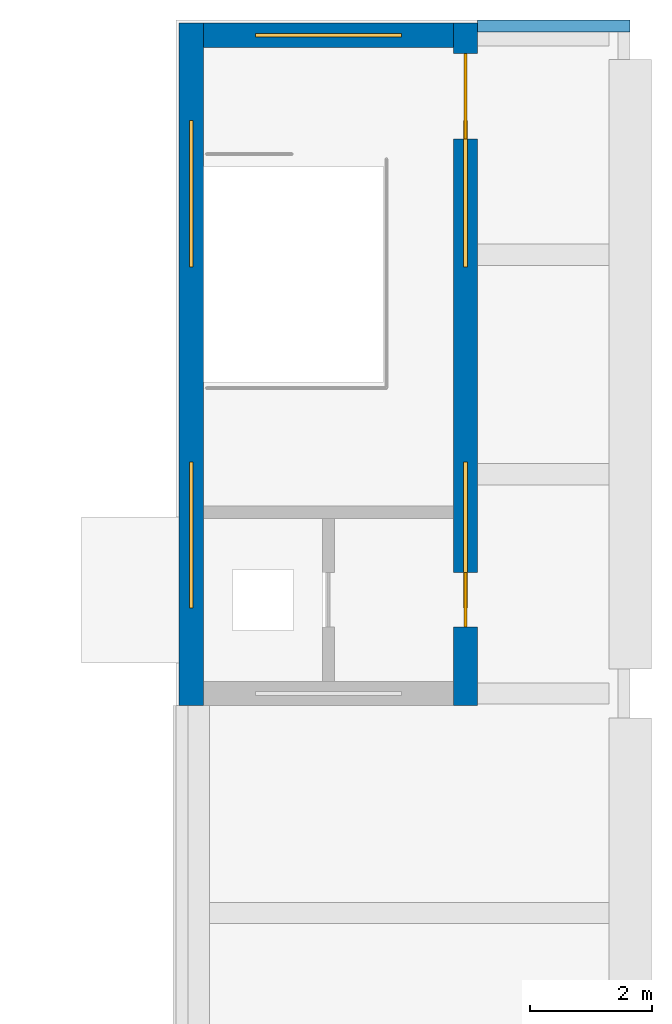
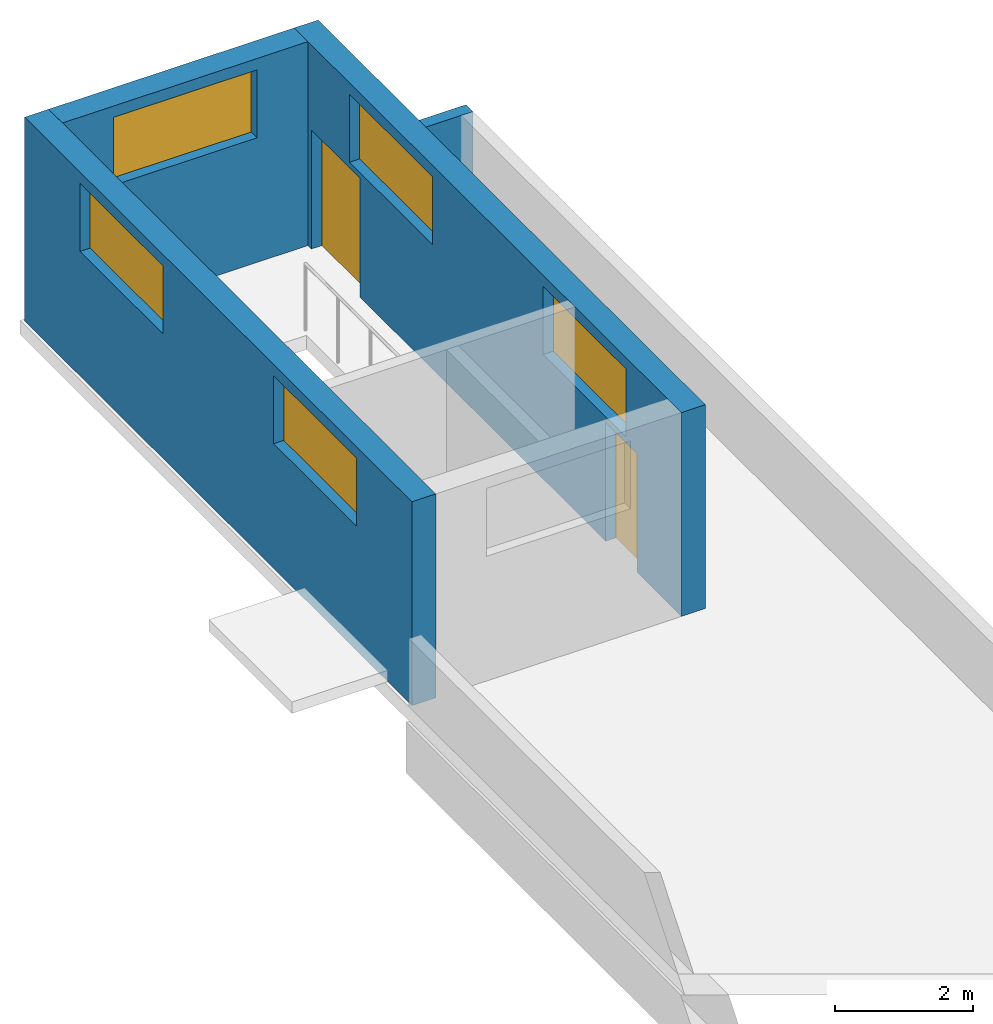
# One storey, part 3 of 4: 5 windows, 4 walls, 2 doors, 7 openings.
"""IFC4 building model written with IfcOpenShell, lengths in metres."""

from ifc_helpers import new_model, si_unit, direction, frame, frame_2d, origin, place, context, subcontext, project, spatial, rectangle, extrude, material, layer, layer_set, type_object, element, fill, save


model = new_model("IFC4")

# Units and contexts
model_context = context("Model", 3, precision=1e-05, world=origin(), true_north=direction((0.0, 1.0)))
body_context = subcontext(model_context, "Body", "Model", "MODEL_VIEW")
ifc_project = project(units=[si_unit("LENGTHUNIT", "METRE"), si_unit("AREAUNIT", "SQUARE_METRE"), si_unit("VOLUMEUNIT", "CUBIC_METRE"), si_unit("PLANEANGLEUNIT", "RADIAN"), si_unit("MASSUNIT", "GRAM", prefix="KILO")], contexts=[model_context])

# Site, building, storey
site_placement = place(None, origin())
site = spatial("IfcSite", under=ifc_project, at=site_placement, CompositionType="ELEMENT")
building_placement = place(site_placement, origin())
building = spatial("IfcBuilding", under=site, at=building_placement, Name="Basin Gate Institute", CompositionType="ELEMENT")
storey_placement = place(building_placement, frame((0.0, 0.0, 75.0)))
storey = spatial("IfcBuildingStorey", under=building, at=storey_placement, Name="RF", CompositionType="ELEMENT", Elevation=75.0)

# Wall
ifc_material_1 = material(Name="Concrete 40 MPa", Category="concrete")
ifc_layer_1 = layer(ifc_material_1, 0.199951171875)
ifc_layer_set_1 = layer_set([ifc_layer_1], Name="Concrete 40 MPa")
wall_type_1 = type_object("IfcWallType", Name="Parapet wall PA1", PredefinedType="PARAPET", material=ifc_layer_set_1)
wall_1_placement = place(storey_placement, frame((65.89990234375, 100.050048828125, 0.0), z_axis=(0.0, 0.0, 1.0), x_axis=(1.0, 0.0, 0.0)))
element("IfcWall", 1, at=wall_1_placement, inside=storey, type_object=wall_type_1, material=ifc_layer_set_1, Name="Parapet wall PA1 RF W8", PredefinedType="PARAPET", context=body_context, shape_type="SweptSolid", body=[
    extrude(rectangle(XDim=2.5, YDim=0.199951171875, at=frame_2d((1.25, 0.0))), origin(), (0.0, 0.0, 1.0), 1.199951171875),
])

# Wall, openings, windows
ifc_material_2 = material(Name="Concrete 50 MPa", Category="concrete")
ifc_layer_2 = layer(ifc_material_2, 0.39990234375)
ifc_layer_set_2 = layer_set([ifc_layer_2], Name="Concrete 50 MPa")
wall_type_2 = type_object("IfcWallType", Name="Wall SW2 R60", PredefinedType="SHEAR", material=ifc_layer_set_2)
wall_2_placement = place(storey_placement, frame((61.199951171875, 88.89990234375, 0.0), z_axis=(0.0, 0.0, 1.0), x_axis=(0.0, 1.0, 0.0)))
wall_2 = element("IfcWall", 2, at=wall_2_placement, inside=storey, type_object=wall_type_2, material=ifc_layer_set_2, Name="WALL/RF/WN/L", PredefinedType="SHEAR", context=body_context, shape_type="SweptSolid", body=[
    extrude(rectangle(XDim=11.2001953125, YDim=0.39990234375, at=frame_2d((5.60009765625, 0.0))), origin(), (0.0, 0.0, 1.0), 3.60009765625),
])
opening_1_placement = place(wall_2_placement, frame((1.60009765625, 0.0, 2.199951171875)))
opening_1 = element("IfcOpeningElement", 3, at=opening_1_placement, cuts=wall_2, Name="Opening LV1", PredefinedType="OPENING", context=body_context, shape_type="SweptSolid", body=[
    extrude(rectangle(XDim=2.39990234375, YDim=1.199951171875, at=frame_2d((1.199951171875, 0.60009765625))), frame((0.0, 0.2099609375, 0.0), z_axis=(0.0, -1.0, 0.0), x_axis=(1.0, 0.0, 0.0)), (0.0, 0.0, 1.0), 0.419921875),
])
opening_2_placement = place(wall_2_placement, frame((7.199951171875, 0.0, 2.199951171875)))
opening_2 = element("IfcOpeningElement", 4, at=opening_2_placement, cuts=wall_2, Name="Opening LV1", PredefinedType="OPENING", context=body_context, shape_type="SweptSolid", body=[
    extrude(rectangle(XDim=2.39990234375, YDim=1.199951171875, at=frame_2d((1.199951171875, 0.60009765625))), frame((0.0, 0.2099609375, 0.0), z_axis=(0.0, -1.0, 0.0), x_axis=(1.0, 0.0, 0.0)), (0.0, 0.0, 1.0), 0.419921875),
])
ifc_material_3 = material(Name="Aluminium louvre", Category="aluminium")
window_type = type_object("IfcWindowType", Name="Exhaust louvre LV1", PartitioningType="SINGLE_PANEL", PredefinedType="USERDEFINED", material=ifc_material_3)
window_1_placement = place(opening_1_placement, origin())
window_1 = element("IfcWindow", 5, at=window_1_placement, inside=storey, type_object=window_type, material=ifc_material_3, Name="Exhaust louvre LV1 WN stack L1", ObjectType="LOUVRE", OverallHeight=1.199951171875, OverallWidth=2.39990234375, PartitioningType="SINGLE_PANEL", PredefinedType="USERDEFINED", context=body_context, shape_type="SweptSolid", body=[
    extrude(rectangle(XDim=2.39990234375, YDim=1.199951171875, at=frame_2d((1.199951171875, 0.60009765625))), frame((0.0, 0.030029296875, 0.0), z_axis=(0.0, -1.0, 0.0), x_axis=(1.0, 0.0, 0.0)), (0.0, 0.0, 1.0), 0.06005859375),
])
fill(opening_1, window_1)
window_2_placement = place(opening_2_placement, origin())
window_2 = element("IfcWindow", 6, at=window_2_placement, inside=storey, type_object=window_type, material=ifc_material_3, Name="Exhaust louvre LV1 WN stack L2", ObjectType="LOUVRE", OverallHeight=1.199951171875, OverallWidth=2.39990234375, PartitioningType="SINGLE_PANEL", PredefinedType="USERDEFINED", context=body_context, shape_type="SweptSolid", body=[
    extrude(rectangle(XDim=2.39990234375, YDim=1.199951171875, at=frame_2d((1.199951171875, 0.60009765625))), frame((0.0, 0.030029296875, 0.0), z_axis=(0.0, -1.0, 0.0), x_axis=(1.0, 0.0, 0.0)), (0.0, 0.0, 1.0), 0.06005859375),
])
fill(opening_2, window_2)

# Wall, openings, windows, doors
wall_3_placement = place(storey_placement, frame((65.699951171875, 88.89990234375, 0.0), z_axis=(0.0, 0.0, 1.0), x_axis=(0.0, 1.0, 0.0)))
wall_3 = element("IfcWall", 7, at=wall_3_placement, inside=storey, type_object=wall_type_2, material=ifc_layer_set_2, Name="WALL/RF/WN/C", PredefinedType="SHEAR", context=body_context, shape_type="SweptSolid", body=[
    extrude(rectangle(XDim=11.2001953125, YDim=0.39990234375, at=frame_2d((5.60009765625, 0.0))), origin(), (0.0, 0.0, 1.0), 3.60009765625),
])
opening_3_placement = place(wall_3_placement, frame((9.300048828125, 0.0, 0.0)))
opening_3 = element("IfcOpeningElement", 8, at=opening_3_placement, cuts=wall_3, Name="Opening DF03", PredefinedType="OPENING", context=body_context, shape_type="SweptSolid", body=[
    extrude(rectangle(XDim=1.39990234375, YDim=2.10009765625, at=frame_2d((0.699951171875, 1.050048828125))), frame((0.0, 0.2099609375, 0.0), z_axis=(0.0, -1.0, 0.0), x_axis=(1.0, 0.0, 0.0)), (0.0, 0.0, 1.0), 0.419921875),
])
opening_4_placement = place(wall_3_placement, frame((1.60009765625, 0.0, 2.199951171875)))
opening_4 = element("IfcOpeningElement", 9, at=opening_4_placement, cuts=wall_3, Name="Opening LV1", PredefinedType="OPENING", context=body_context, shape_type="SweptSolid", body=[
    extrude(rectangle(XDim=2.39990234375, YDim=1.199951171875, at=frame_2d((1.199951171875, 0.60009765625))), frame((0.0, 0.2099609375, 0.0), z_axis=(0.0, -1.0, 0.0), x_axis=(1.0, 0.0, 0.0)), (0.0, 0.0, 1.0), 0.419921875),
])
opening_5_placement = place(wall_3_placement, frame((7.199951171875, 0.0, 2.199951171875)))
opening_5 = element("IfcOpeningElement", 10, at=opening_5_placement, cuts=wall_3, Name="Opening LV1", PredefinedType="OPENING", context=body_context, shape_type="SweptSolid", body=[
    extrude(rectangle(XDim=2.39990234375, YDim=1.199951171875, at=frame_2d((1.199951171875, 0.60009765625))), frame((0.0, 0.2099609375, 0.0), z_axis=(0.0, -1.0, 0.0), x_axis=(1.0, 0.0, 0.0)), (0.0, 0.0, 1.0), 0.419921875),
])
opening_6_placement = place(wall_3_placement, frame((1.28759765625, 0.0, 0.0)))
opening_6 = element("IfcOpeningElement", 11, at=opening_6_placement, cuts=wall_3, Name="Opening D14", PredefinedType="OPENING", context=body_context, shape_type="SweptSolid", body=[
    extrude(rectangle(XDim=0.89990234375, YDim=2.10009765625, at=frame_2d((0.449951171875, 1.050048828125))), frame((0.0, 0.2099609375, 0.0), z_axis=(0.0, -1.0, 0.0), x_axis=(1.0, 0.0, 0.0)), (0.0, 0.0, 1.0), 0.419921875),
])
window_3_placement = place(opening_4_placement, origin())
window_3 = element("IfcWindow", 12, at=window_3_placement, inside=storey, type_object=window_type, material=ifc_material_3, Name="Exhaust louvre LV1 WN stack C1", ObjectType="LOUVRE", OverallHeight=1.199951171875, OverallWidth=2.39990234375, PartitioningType="SINGLE_PANEL", PredefinedType="USERDEFINED", context=body_context, shape_type="SweptSolid", body=[
    extrude(rectangle(XDim=2.39990234375, YDim=1.199951171875, at=frame_2d((1.199951171875, 0.60009765625))), frame((0.0, 0.030029296875, 0.0), z_axis=(0.0, -1.0, 0.0), x_axis=(1.0, 0.0, 0.0)), (0.0, 0.0, 1.0), 0.06005859375),
])
fill(opening_4, window_3)
window_4_placement = place(opening_5_placement, origin())
window_4 = element("IfcWindow", 13, at=window_4_placement, inside=storey, type_object=window_type, material=ifc_material_3, Name="Exhaust louvre LV1 WN stack C2", ObjectType="LOUVRE", OverallHeight=1.199951171875, OverallWidth=2.39990234375, PartitioningType="SINGLE_PANEL", PredefinedType="USERDEFINED", context=body_context, shape_type="SweptSolid", body=[
    extrude(rectangle(XDim=2.39990234375, YDim=1.199951171875, at=frame_2d((1.199951171875, 0.60009765625))), frame((0.0, 0.030029296875, 0.0), z_axis=(0.0, -1.0, 0.0), x_axis=(1.0, 0.0, 0.0)), (0.0, 0.0, 1.0), 0.06005859375),
])
fill(opening_5, window_4)
ifc_material_4 = material(Name="Steel fire door", Category="steel")
door_type_1 = type_object("IfcDoorType", Name="FD30 Roof access door DF", OperationType="DOUBLE_DOOR_SINGLE_SWING", PredefinedType="DOOR", material=ifc_material_4)
door_1_placement = place(opening_3_placement, frame((1.39990234375, 0.0, 0.0), z_axis=(0.0, 0.0, 1.0), x_axis=(-1.0, 0.0, 0.0)))
door_1 = element("IfcDoor", 14, at=door_1_placement, inside=storey, type_object=door_type_1, material=ifc_material_4, Name="Roof access door ST-WN", OperationType="DOUBLE_DOOR_SINGLE_SWING", OverallHeight=2.10009765625, OverallWidth=1.39990234375, PredefinedType="DOOR", context=body_context, shape_type="SweptSolid", body=[
    extrude(rectangle(XDim=1.39990234375, YDim=2.10009765625, at=frame_2d((0.699951171875, 1.050048828125))), frame((0.0, 0.02490234375, 0.0), z_axis=(0.0, -1.0, 0.0), x_axis=(1.0, 0.0, 0.0)), (0.0, 0.0, 1.0), 0.050048828125),
])
fill(opening_3, door_1)
ifc_material_5 = material(Name="Steel fire door", Category="steel")
door_type_2 = type_object("IfcDoorType", Name="Plant room door D14", OperationType="NOTDEFINED", PredefinedType="DOOR", material=ifc_material_5)
door_2_placement = place(opening_6_placement, origin())
door_2 = element("IfcDoor", 15, at=door_2_placement, inside=storey, type_object=door_type_2, material=ifc_material_5, Name="Door to Lift Machine Room LP3", OperationType="SINGLE_SWING_LEFT", OverallHeight=2.10009765625, OverallWidth=0.89990234375, PredefinedType="DOOR", context=body_context, shape_type="SweptSolid", body=[
    extrude(rectangle(XDim=0.89990234375, YDim=2.10009765625, at=frame_2d((0.449951171875, 1.050048828125))), frame((0.0, 0.02490234375, 0.0), z_axis=(0.0, -1.0, 0.0), x_axis=(1.0, 0.0, 0.0)), (0.0, 0.0, 1.0), 0.050048828125),
])
fill(opening_6, door_2)

# Wall, opening, window
wall_4_placement = place(storey_placement, frame((61.39990234375, 99.89990234375, 0.0), z_axis=(0.0, 0.0, 1.0), x_axis=(1.0, 0.0, 0.0)))
wall_4 = element("IfcWall", 16, at=wall_4_placement, inside=storey, type_object=wall_type_2, material=ifc_layer_set_2, Name="WALL/RF/WN/N", PredefinedType="SHEAR", context=body_context, shape_type="SweptSolid", body=[
    extrude(rectangle(XDim=4.10009765625, YDim=0.39990234375, at=frame_2d((2.050048828125, 0.0))), origin(), (0.0, 0.0, 1.0), 3.60009765625),
])
opening_7_placement = place(wall_4_placement, frame((0.85009765625, 0.0, 2.199951171875)))
opening_7 = element("IfcOpeningElement", 17, at=opening_7_placement, cuts=wall_4, Name="Opening LV1", PredefinedType="OPENING", context=body_context, shape_type="SweptSolid", body=[
    extrude(rectangle(XDim=2.39990234375, YDim=1.199951171875, at=frame_2d((1.199951171875, 0.60009765625))), frame((0.0, 0.2099609375, 0.0), z_axis=(0.0, -1.0, 0.0), x_axis=(1.0, 0.0, 0.0)), (0.0, 0.0, 1.0), 0.419921875),
])
window_5_placement = place(opening_7_placement, origin())
window_5 = element("IfcWindow", 18, at=window_5_placement, inside=storey, type_object=window_type, material=ifc_material_3, Name="Exhaust louvre LV1 WN stack N1", ObjectType="LOUVRE", OverallHeight=1.199951171875, OverallWidth=2.39990234375, PartitioningType="SINGLE_PANEL", PredefinedType="USERDEFINED", context=body_context, shape_type="SweptSolid", body=[
    extrude(rectangle(XDim=2.39990234375, YDim=1.199951171875, at=frame_2d((1.199951171875, 0.60009765625))), frame((0.0, 0.030029296875, 0.0), z_axis=(0.0, -1.0, 0.0), x_axis=(1.0, 0.0, 0.0)), (0.0, 0.0, 1.0), 0.06005859375),
])
fill(opening_7, window_5)

save(model, "model.ifc")
